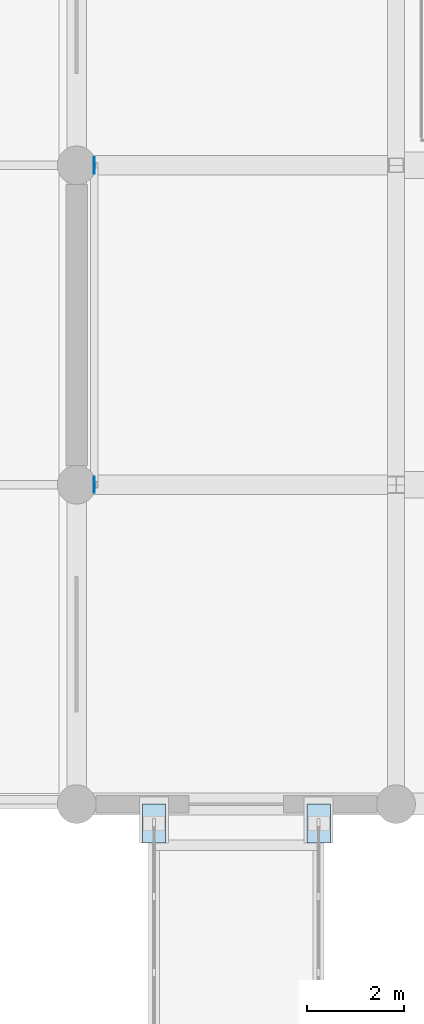
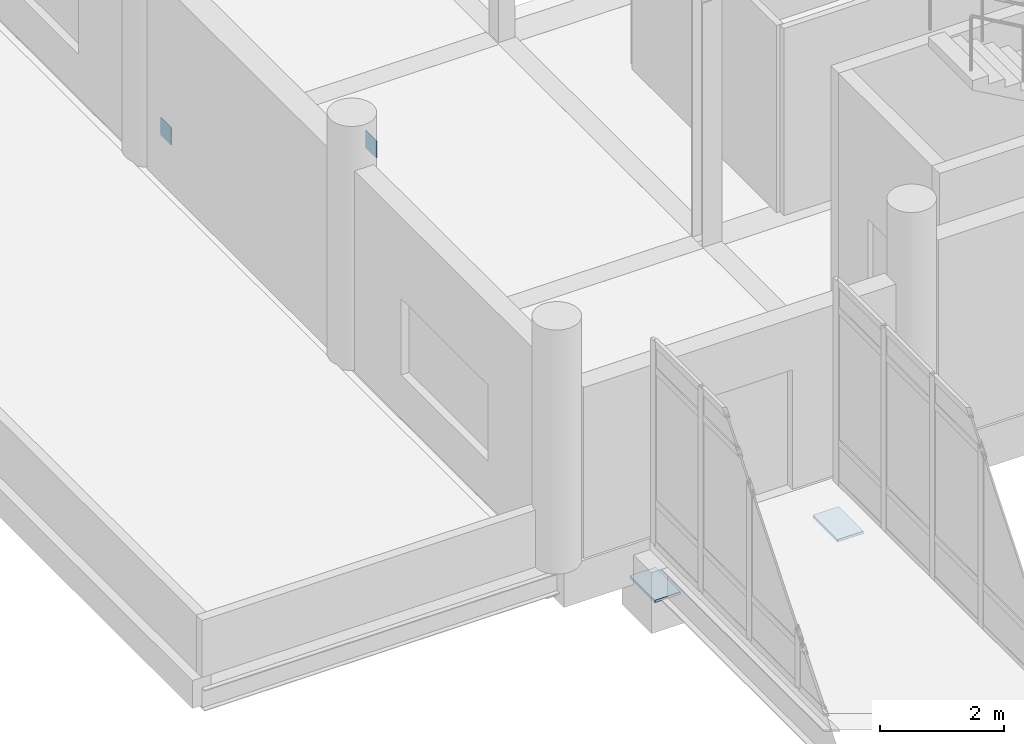
# One storey, part 81 of 125: 4 plates.
"""IFC4 building model written with IfcOpenShell, lengths in metres."""

from ifc_helpers import new_model, si_unit, direction, frame, origin, origin_2d, place, context, subcontext, project, spatial, rectangle, extrude, material, layer, layer_set, type_object, element, save


model = new_model("IFC4")

# Units and contexts
model_context = context("Model", 3, precision=1e-05, world=origin(), true_north=direction((0.0, 1.0)))
body_context = subcontext(model_context, "Body", "Model", "MODEL_VIEW")
ifc_project = project(units=[si_unit("LENGTHUNIT", "METRE"), si_unit("AREAUNIT", "SQUARE_METRE"), si_unit("VOLUMEUNIT", "CUBIC_METRE"), si_unit("PLANEANGLEUNIT", "RADIAN"), si_unit("MASSUNIT", "GRAM", prefix="KILO")], contexts=[model_context])

# Site, building, storey
site_placement = place(None, origin())
site = spatial("IfcSite", under=ifc_project, at=site_placement, CompositionType="ELEMENT")
building_placement = place(site_placement, origin())
building = spatial("IfcBuilding", under=site, at=building_placement, Name="Dornvale Research Institute", CompositionType="ELEMENT")
storey_placement = place(building_placement, frame((0.0, 0.0, 5.39990234375)))
storey = spatial("IfcBuildingStorey", under=building, at=storey_placement, Name="L01", CompositionType="ELEMENT", Elevation=5.39990234375)

# Plates
ifc_material_1 = material(Name="Steel ASTM A572 Grade 50", Category="steel")
ifc_layer_1 = layer(ifc_material_1, 0.050048828125)
ifc_layer_set_1 = layer_set([ifc_layer_1], Name="Steel ASTM A572 Grade 50")
plate_type_1 = type_object("IfcPlateType", Name="SheetPlate_Bearing_50", PredefinedType="SHEET", material=ifc_layer_set_1)
for number, where, z_axis, x_axis, name in (
    (1, (41.199951171875, 39.199951171875, -0.83203125), (0.0, 0.0, 1.0), (1.0, 0.0, 0.0), "Bridge 800mm sliding seat sole plate ND-01"),
    (2, (44.60009765625, 39.199951171875, -0.83203125), (0.0, 0.0, 1.0), (1.0, 0.0, 0.0), "Bridge 800mm sliding seat sole plate ND-02"),
):
    element("IfcPlate", number, at=place(storey_placement, frame(where, z_axis=z_axis, x_axis=x_axis)), inside=storey, type_object=plate_type_1, Name=name, PredefinedType="SHEET", context=body_context, shape_type="SweptSolid", body=[
        extrude(rectangle(XDim=0.47998046875, YDim=0.800048828125, at=origin_2d()), origin(), (0.0, 0.0, 1.0), 0.050048828125),
    ])
ifc_material_2 = material(Name="Steel ASTM A572 Grade 50", Category="steel")
ifc_layer_2 = layer(ifc_material_2, 0.01611328125)
ifc_layer_set_2 = layer_set([ifc_layer_2], Name="Steel ASTM A572 Grade 50")
plate_type_2 = type_object("IfcPlateType", Name="SheetPlate_Gusset_16", PredefinedType="SHEET", material=ifc_layer_set_2)
for number, where, z_axis, x_axis, name in (
    (3, (39.9599609375, 52.800048828125, 0.1298828125), (0.0, 0.0, 1.0), (0.0, 1.0, 0.0), "HSS brace node gusset and cap plate ND-063"),
    (4, (39.9599609375, 46.199951171875, 3.8798828125), (0.0, 0.0, 1.0), (0.0, 1.0, 0.0), "HSS brace node gusset and cap plate ND-064"),
):
    element("IfcPlate", number, at=place(storey_placement, frame(where, z_axis=z_axis, x_axis=x_axis)), inside=storey, type_object=plate_type_2, Name=name, PredefinedType="SHEET", context=body_context, shape_type="SweptSolid", body=[
        extrude(rectangle(XDim=0.340087890625, YDim=0.01611328125, at=origin_2d()), origin(), (0.0, 0.0, 1.0), 0.340087890625),
    ])

save(model, "model.ifc")
